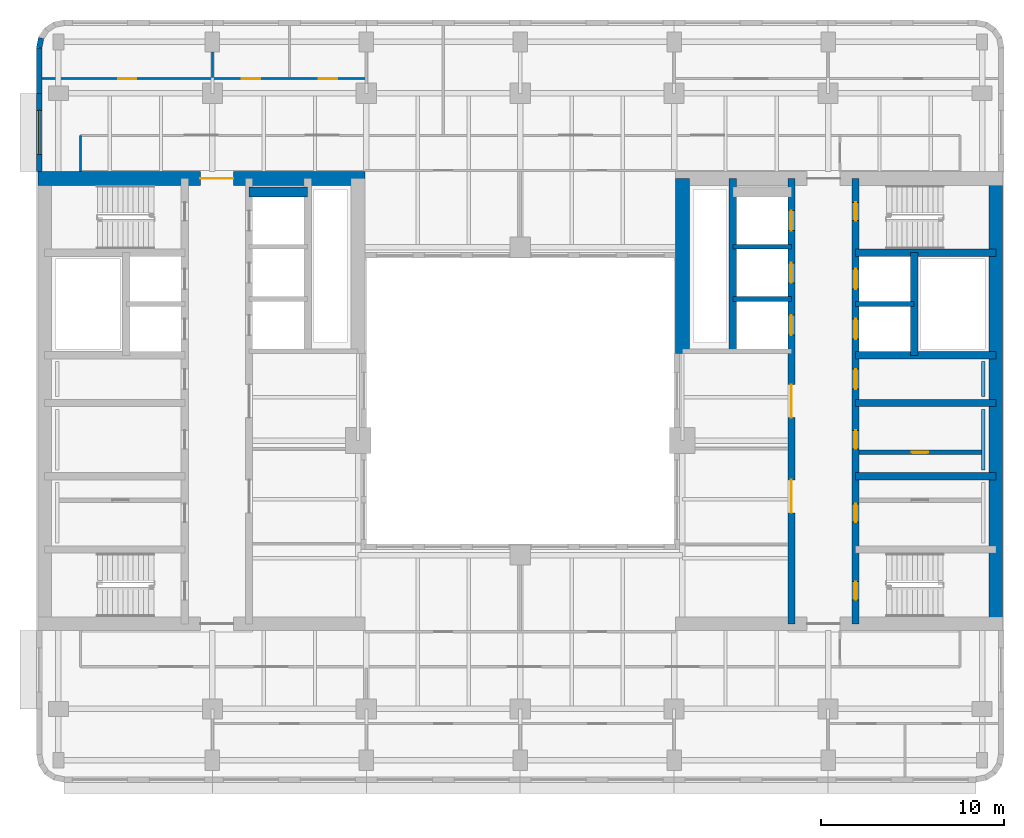
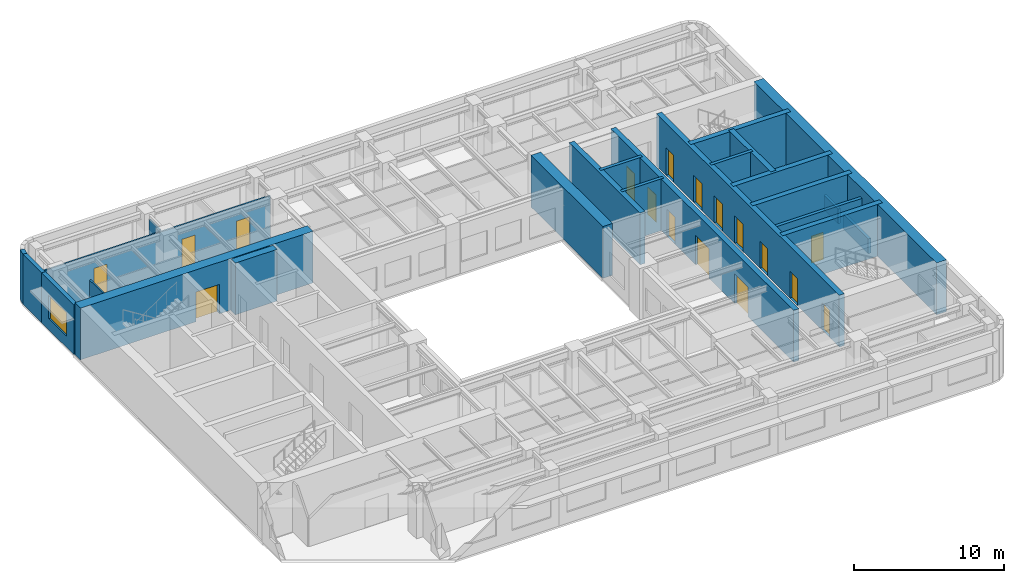
# One storey, part 6 of 11: 24 walls, 17 doors, 1 window, 18 openings.
"""IFC4 building model written with IfcOpenShell, lengths in metres."""

from ifc_helpers import new_model, si_unit, direction, frame, frame_2d, origin, place, context, subcontext, project, spatial, rectangle, extrude, material, layer, layer_set, type_object, element, fill, save


model = new_model("IFC4")

# Units and contexts
model_context = context("Model", 3, precision=1e-05, world=origin(), true_north=direction((0.0, 1.0)))
body_context = subcontext(model_context, "Body", "Model", "MODEL_VIEW")
ifc_project = project(units=[si_unit("LENGTHUNIT", "METRE"), si_unit("AREAUNIT", "SQUARE_METRE"), si_unit("VOLUMEUNIT", "CUBIC_METRE"), si_unit("PLANEANGLEUNIT", "RADIAN"), si_unit("MASSUNIT", "GRAM", prefix="KILO")], contexts=[model_context])

# Site, building, storey
site_placement = place(None, origin())
site = spatial("IfcSite", under=ifc_project, at=site_placement, CompositionType="ELEMENT")
building_placement = place(site_placement, origin())
building = spatial("IfcBuilding", under=site, at=building_placement, Name="Claustro Exchange Tower", CompositionType="ELEMENT")
storey_placement = place(building_placement, frame((0.0, 0.0, 211.199951171875)))
storey = spatial("IfcBuildingStorey", under=building, at=storey_placement, Name="L48", CompositionType="ELEMENT", Elevation=211.199951171875)

# Wall, openings, doors
ifc_material_1 = material(Name="Laminated glass in aluminium frame", Category="aluminium")
ifc_layer_1 = layer(ifc_material_1, 0.1201171875)
ifc_layer_set_1 = layer_set([ifc_layer_1], Name="Laminated glass in aluminium frame")
wall_type_1 = type_object("IfcWallType", Name="P2 120 glazed partition", PredefinedType="PARTITIONING", material=ifc_layer_set_1)
wall_1_placement = place(storey_placement, frame((-0.902099609375, 42.800048828125, 0.0), z_axis=(0.0, 0.0, 1.0), x_axis=(1.0, 0.0, 0.0)))
wall_1 = element("IfcWall", 1, at=wall_1_placement, inside=storey, type_object=wall_type_1, Name="Partition P2 L48", PredefinedType="PARTITIONING", context=body_context, shape_type="SweptSolid", body=[
    extrude(rectangle(XDim=17.7021484375, YDim=0.1201171875, at=frame_2d((8.85107421875, 0.0))), origin(), (0.0, 0.0, 1.0), 3.56005859375),
])
opening_1_placement = place(wall_1_placement, frame((4.152099609375, 0.0, 0.0)))
opening_1 = element("IfcOpeningElement", 2, at=opening_1_placement, cuts=wall_1, Name="Opening D7", PredefinedType="OPENING", context=body_context, shape_type="SweptSolid", body=[
    extrude(rectangle(XDim=1.0, YDim=2.39990234375, at=frame_2d((0.5, 1.199951171875))), frame((0.0, 0.070068359375, 0.0), z_axis=(0.0, -1.0, 0.0), x_axis=(1.0, 0.0, 0.0)), (0.0, 0.0, 1.0), 0.14013671875),
])
opening_2_placement = place(wall_1_placement, frame((10.902099609375, 0.0, 0.0)))
opening_2 = element("IfcOpeningElement", 3, at=opening_2_placement, cuts=wall_1, Name="Opening D7", PredefinedType="OPENING", context=body_context, shape_type="SweptSolid", body=[
    extrude(rectangle(XDim=1.0, YDim=2.39990234375, at=frame_2d((0.5, 1.199951171875))), frame((0.0, 0.070068359375, 0.0), z_axis=(0.0, -1.0, 0.0), x_axis=(1.0, 0.0, 0.0)), (0.0, 0.0, 1.0), 0.14013671875),
])
opening_3_placement = place(wall_1_placement, frame((15.10205078125, 0.0, 0.0)))
opening_3 = element("IfcOpeningElement", 4, at=opening_3_placement, cuts=wall_1, Name="Opening D7", PredefinedType="OPENING", context=body_context, shape_type="SweptSolid", body=[
    extrude(rectangle(XDim=1.0, YDim=2.39990234375, at=frame_2d((0.5, 1.199951171875))), frame((0.0, 0.070068359375, 0.0), z_axis=(0.0, -1.0, 0.0), x_axis=(1.0, 0.0, 0.0)), (0.0, 0.0, 1.0), 0.14013671875),
])
ifc_material_2 = material(Name="Glass door in aluminium frame", Category="aluminium")
door_type_1 = type_object("IfcDoorType", Name="D7 1000 x 2400 glazed door", OperationType="SINGLE_SWING_LEFT", PredefinedType="DOOR", material=ifc_material_2)
door_1_placement = place(opening_1_placement, origin())
door_1 = element("IfcDoor", 5, at=door_1_placement, inside=storey, type_object=door_type_1, Name="Door D7 L48", OperationType="SINGLE_SWING_RIGHT", OverallHeight=2.39990234375, OverallWidth=1.0, PredefinedType="DOOR", context=body_context, shape_type="SweptSolid", body=[
    extrude(rectangle(XDim=1.0, YDim=2.39990234375, at=frame_2d((0.5, 1.199951171875))), frame((0.0, 0.02490234375, 0.0), z_axis=(0.0, -1.0, 0.0), x_axis=(1.0, 0.0, 0.0)), (0.0, 0.0, 1.0), 0.050048828125),
])
fill(opening_1, door_1)
door_2_placement = place(opening_2_placement, origin())
door_2 = element("IfcDoor", 6, at=door_2_placement, inside=storey, type_object=door_type_1, Name="Door D7 L48", OperationType="SINGLE_SWING_LEFT", OverallHeight=2.39990234375, OverallWidth=1.0, PredefinedType="DOOR", context=body_context, shape_type="SweptSolid", body=[
    extrude(rectangle(XDim=1.0, YDim=2.39990234375, at=frame_2d((0.5, 1.199951171875))), frame((0.0, 0.02490234375, 0.0), z_axis=(0.0, -1.0, 0.0), x_axis=(1.0, 0.0, 0.0)), (0.0, 0.0, 1.0), 0.050048828125),
])
fill(opening_2, door_2)
door_3_placement = place(opening_3_placement, origin())
door_3 = element("IfcDoor", 7, at=door_3_placement, inside=storey, type_object=door_type_1, Name="Door D7 L48", OperationType="SINGLE_SWING_LEFT", OverallHeight=2.39990234375, OverallWidth=1.0, PredefinedType="DOOR", context=body_context, shape_type="SweptSolid", body=[
    extrude(rectangle(XDim=1.0, YDim=2.39990234375, at=frame_2d((0.5, 1.199951171875))), frame((0.0, 0.02490234375, 0.0), z_axis=(0.0, -1.0, 0.0), x_axis=(1.0, 0.0, 0.0)), (0.0, 0.0, 1.0), 0.050048828125),
])
fill(opening_3, door_3)

# Walls
wall_2_placement = place(storey_placement, frame((8.39990234375, 42.85791015625, 0.0), z_axis=(0.0, 0.0, 1.0), x_axis=(0.0, 1.0, 0.0)))
element("IfcWall", 8, at=wall_2_placement, inside=storey, type_object=wall_type_1, Name="Partition P2 L48", PredefinedType="PARTITIONING", context=body_context, shape_type="SweptSolid", body=[
    extrude(rectangle(XDim=1.39306640625, YDim=0.1201171875, at=frame_2d((0.696533203125, 0.0))), origin(), (0.0, 0.0, 1.0), 3.68994140625),
])
wall_3_placement = place(storey_placement, frame((1.199951171875, 37.72412109375, 0.0), z_axis=(0.0, 0.0, 1.0), x_axis=(0.0, 1.0, 0.0)))
element("IfcWall", 9, at=wall_3_placement, inside=storey, type_object=wall_type_1, Name="Partition P2 L48", PredefinedType="PARTITIONING", context=body_context, shape_type="SweptSolid", body=[
    extrude(rectangle(XDim=1.975830078125, YDim=0.1201171875, at=frame_2d((0.98779296875, 0.0))), origin(), (0.0, 0.0, 1.0), 4.050048828125),
])

# Wall, opening, door
ifc_material_3 = material(Name="Concrete blockwork, rendered", Category="masonry")
ifc_layer_2 = layer(ifc_material_3, 0.25)
ifc_layer_set_2 = layer_set([ifc_layer_2], Name="Concrete blockwork, rendered")
wall_type_2 = type_object("IfcWallType", Name="P4 250 blockwork wall", PredefinedType="PARTITIONING", material=ifc_layer_set_2)
wall_4_placement = place(storey_placement, frame((43.699951171875, 22.39990234375, 0.0), z_axis=(0.0, 0.0, 1.0), x_axis=(1.0, 0.0, 0.0)))
wall_4 = element("IfcWall", 10, at=wall_4_placement, inside=storey, type_object=wall_type_2, Name="Partition P4 L48", PredefinedType="PARTITIONING", context=body_context, shape_type="SweptSolid", body=[
    extrude(rectangle(XDim=6.675048828125, YDim=0.25, at=frame_2d((3.33740234375, 0.0))), origin(), (0.0, 0.0, 1.0), 4.0),
])
opening_4_placement = place(wall_4_placement, frame((2.862548828125, 0.0, 0.0)))
opening_4 = element("IfcOpeningElement", 11, at=opening_4_placement, cuts=wall_4, Name="Opening D5", PredefinedType="OPENING", context=body_context, shape_type="SweptSolid", body=[
    extrude(rectangle(XDim=0.89990234375, YDim=2.199951171875, at=frame_2d((0.449951171875, 1.10009765625))), frame((0.0, 0.135009765625, 0.0), z_axis=(0.0, -1.0, 0.0), x_axis=(1.0, 0.0, 0.0)), (0.0, 0.0, 1.0), 0.27001953125),
])
ifc_material_4 = material(Name="Steel door, painted", Category="steel")
door_type_2 = type_object("IfcDoorType", Name="D5 900 x 2200 store door", OperationType="SINGLE_SWING_LEFT", PredefinedType="DOOR", material=ifc_material_4)
door_4_placement = place(opening_4_placement, frame((0.89990234375, 0.0, 0.0), z_axis=(0.0, 0.0, 1.0), x_axis=(-1.0, 0.0, 0.0)))
door_4 = element("IfcDoor", 12, at=door_4_placement, inside=storey, type_object=door_type_2, Name="Store door D5 L48", OperationType="SINGLE_SWING_RIGHT", OverallHeight=2.199951171875, OverallWidth=0.89990234375, PredefinedType="DOOR", context=body_context, shape_type="SweptSolid", body=[
    extrude(rectangle(XDim=0.89990234375, YDim=2.199951171875, at=frame_2d((0.449951171875, 1.10009765625))), frame((0.0, 0.02490234375, 0.0), z_axis=(0.0, -1.0, 0.0), x_axis=(1.0, 0.0, 0.0)), (0.0, 0.0, 1.0), 0.050048828125),
])
fill(opening_4, door_4)

# Wall, opening, window
ifc_material_5 = material(Name="Concrete HA-40 (C40/50), precast, white cement, acid-etched", Category="concrete")
ifc_layer_3 = layer(ifc_material_5, 0.300048828125)
ifc_layer_set_3 = layer_set([ifc_layer_3], Name="Concrete HA-40 (C40/50), precast, white cement, acid-etched")
wall_type_3 = type_object("IfcWallType", Name="PC1 300 precast concrete pier panel", PredefinedType="SOLIDWALL", material=ifc_layer_set_3)
wall_5_placement = place(storey_placement, frame((-1.050048828125, 37.72509765625, 0.0), z_axis=(0.0, 0.0, 1.0), x_axis=(0.0, 1.0, 0.0)))
wall_5 = element("IfcWall", 13, at=wall_5_placement, inside=storey, type_object=wall_type_3, Name="Precast pier panel PC1 L48", PredefinedType="SOLIDWALL", context=body_context, shape_type="SweptSolid", body=[
    extrude(rectangle(XDim=4.27490234375, YDim=0.300048828125, at=frame_2d((2.137451171875, 0.0))), origin(), (0.0, 0.0, 1.0), 4.050048828125),
])
opening_5_placement = place(wall_5_placement, frame((0.9375, 0.0, 0.89990234375)))
opening_5 = element("IfcOpeningElement", 14, at=opening_5_placement, cuts=wall_5, Name="Opening W2", PredefinedType="OPENING", context=body_context, shape_type="SweptSolid", body=[
    extrude(rectangle(XDim=2.39990234375, YDim=1.89990234375, at=frame_2d((1.199951171875, 0.949951171875))), frame((0.0, 0.159912109375, 0.0), z_axis=(0.0, -1.0, 0.0), x_axis=(1.0, 0.0, 0.0)), (0.0, 0.0, 1.0), 0.320068359375),
])
ifc_material_6 = material(Name="Aluminium frame, clear double glazing", Category="aluminium")
window_type = type_object("IfcWindowType", Name="W2 2400 x 1900 window", PartitioningType="SINGLE_PANEL", PredefinedType="WINDOW", material=ifc_material_6)
window_placement = place(opening_5_placement, origin())
window = element("IfcWindow", 15, at=window_placement, inside=storey, type_object=window_type, Name="Window W2 L48", OverallHeight=1.89990234375, OverallWidth=2.39990234375, PartitioningType="SINGLE_PANEL", PredefinedType="WINDOW", context=body_context, shape_type="SweptSolid", body=[
    extrude(rectangle(XDim=2.39990234375, YDim=1.89990234375, at=frame_2d((1.199951171875, 0.949951171875))), frame((0.0, 0.030029296875, 0.0), z_axis=(0.0, -1.0, 0.0), x_axis=(1.0, 0.0, 0.0)), (0.0, 0.0, 1.0), 0.06005859375),
])
fill(opening_5, window)

# Walls
wall_6_placement = place(storey_placement, frame((-1.050048828125, 42.0, 0.0), z_axis=(0.0, 0.0, 1.0), x_axis=(0.0, 1.0, 0.0)))
element("IfcWall", 16, at=wall_6_placement, inside=storey, type_object=wall_type_3, Name="Precast pier panel PC1 L48", PredefinedType="SOLIDWALL", context=body_context, shape_type="SweptSolid", body=[
    extrude(rectangle(XDim=2.485107421875, YDim=0.300048828125, at=frame_2d((1.24267578125, 0.0))), origin(), (0.0, 0.0, 1.0), 4.050048828125),
])
wall_7_placement = place(storey_placement, frame((-1.050048828125, 44.485107421875, 0.0), z_axis=(0.0, 0.0, 1.0), x_axis=(0.195073962632, 0.980788534345, 0.0)))
element("IfcWall", 17, at=wall_7_placement, inside=storey, type_object=wall_type_3, Name="Precast pier panel PC1 L48", PredefinedType="SOLIDWALL", context=body_context, shape_type="SweptSolid", body=[
    extrude(rectangle(XDim=0.540771484375, YDim=0.300048828125, at=frame_2d((0.2705078125, 0.0))), origin(), (0.0, 0.0, 1.0), 4.050048828125),
])
ifc_material_7 = material(Name="Gypsum board on steel studs, tiled", Category="steel")
ifc_layer_4 = layer(ifc_material_7, 0.199951171875)
ifc_layer_set_4 = layer_set([ifc_layer_4], Name="Gypsum board on steel studs, tiled")
wall_type_4 = type_object("IfcWallType", Name="PW1 200 WC duct wall", PredefinedType="PLUMBINGWALL", material=ifc_layer_set_4)
wall_8_placement = place(storey_placement, frame((50.47509765625, 21.449951171875, 0.0), z_axis=(0.0, 0.0, 1.0), x_axis=(0.0, 1.0, 0.0)))
element("IfcWall", 18, at=wall_8_placement, inside=storey, type_object=wall_type_4, Name="WC duct wall PW1 L48", PredefinedType="PLUMBINGWALL", context=body_context, shape_type="SweptSolid", body=[
    extrude(rectangle(XDim=3.300048828125, YDim=0.199951171875, at=frame_2d((1.64990234375, 0.0))), origin(), (0.0, 0.0, 1.0), 1.199951171875),
])
wall_9_placement = place(storey_placement, frame((50.47509765625, 25.449951171875, 0.0), z_axis=(0.0, 0.0, 1.0), x_axis=(0.0, 1.0, 0.0)))
element("IfcWall", 19, at=wall_9_placement, inside=storey, type_object=wall_type_4, Name="WC duct wall PW1 L48", PredefinedType="PLUMBINGWALL", context=body_context, shape_type="SweptSolid", body=[
    extrude(rectangle(XDim=1.900146484375, YDim=0.199951171875, at=frame_2d((0.9501953125, 0.0))), origin(), (0.0, 0.0, 1.0), 1.199951171875),
])

# Wall, opening, door
ifc_material_8 = material(Name="Concrete HA-70 (C70/85)", Category="concrete")
ifc_layer_5 = layer(ifc_material_8, 0.75)
ifc_layer_set_5 = layer_set([ifc_layer_5], Name="Concrete HA-70 (C70/85)")
wall_type_5 = type_object("IfcWallType", Name="SW2 750 core shear wall", PredefinedType="SHEAR", material=ifc_layer_set_5)
wall_10_placement = place(storey_placement, frame((-1.125, 37.35009765625, 0.0), z_axis=(0.0, 0.0, 1.0), x_axis=(1.0, 0.0, 0.0)))
wall_10 = element("IfcWall", 20, at=wall_10_placement, inside=storey, type_object=wall_type_5, Name="Core wall SW2 W core N face L48", PredefinedType="SHEAR", context=body_context, shape_type="SweptSolid", body=[
    extrude(rectangle(XDim=17.85009765625, YDim=0.75, at=frame_2d((8.925048828125, 0.0))), origin(), (0.0, 0.0, 1.0), 4.199951171875),
])
opening_6_placement = place(wall_10_placement, frame((8.875, 0.0, 0.0)))
opening_6 = element("IfcOpeningElement", 21, at=opening_6_placement, cuts=wall_10, Name="Opening D3", PredefinedType="OPENING", context=body_context, shape_type="SweptSolid", body=[
    extrude(rectangle(XDim=1.800048828125, YDim=2.39990234375, at=frame_2d((0.89990234375, 1.199951171875))), frame((0.0, 0.385009765625, 0.0), z_axis=(0.0, -1.0, 0.0), x_axis=(1.0, 0.0, 0.0)), (0.0, 0.0, 1.0), 0.77001953125),
])
ifc_material_9 = material(Name="Steel fire door, painted", Category="steel")
door_type_3 = type_object("IfcDoorType", Name="D3 1800 x 2400 fire-rated lobby double door", OperationType="DOUBLE_DOOR_SINGLE_SWING", PredefinedType="DOOR", material=ifc_material_9)
door_5_placement = place(opening_6_placement, frame((1.800048828125, 0.0, 0.0), z_axis=(0.0, 0.0, 1.0), x_axis=(-1.0, 0.0, 0.0)))
door_5 = element("IfcDoor", 22, at=door_5_placement, inside=storey, type_object=door_type_3, Name="Lift lobby door D3 L48", OperationType="DOUBLE_DOOR_SINGLE_SWING", OverallHeight=2.39990234375, OverallWidth=1.800048828125, PredefinedType="DOOR", context=body_context, shape_type="SweptSolid", body=[
    extrude(rectangle(XDim=1.800048828125, YDim=2.39990234375, at=frame_2d((0.89990234375, 1.199951171875))), frame((0.0, 0.02490234375, 0.0), z_axis=(0.0, -1.0, 0.0), x_axis=(1.0, 0.0, 0.0)), (0.0, 0.0, 1.0), 0.050048828125),
])
fill(opening_6, door_5)

# Walls
ifc_material_10 = material(Name="Concrete HA-70 (C70/85)", Category="concrete")
ifc_layer_6 = layer(ifc_material_10, 0.75)
ifc_layer_set_6 = layer_set([ifc_layer_6], Name="Concrete HA-70 (C70/85)")
wall_type_6 = type_object("IfcWallType", Name="SW2X 750 exposed core shear wall, board-marked face", PredefinedType="SHEAR", material=ifc_layer_set_6)
wall_11_placement = place(storey_placement, frame((34.050048828125, 27.800048828125, 0.0), z_axis=(0.0, 0.0, 1.0), x_axis=(0.0, 1.0, 0.0)))
element("IfcWall", 23, at=wall_11_placement, inside=storey, type_object=wall_type_6, Name="Core wall SW2X E core W face L48", PredefinedType="SHEAR", context=body_context, shape_type="SweptSolid", body=[
    extrude(rectangle(XDim=9.550048828125, YDim=0.75, at=frame_2d((4.77490234375, 0.0))), origin(), (0.0, 0.0, 1.0), 4.199951171875),
])
wall_12_placement = place(storey_placement, frame((51.14990234375, 13.050048828125, 0.0), z_axis=(0.0, 0.0, 1.0), x_axis=(0.0, 1.0, 0.0)))
element("IfcWall", 24, at=wall_12_placement, inside=storey, type_object=wall_type_6, Name="Core wall SW2X E core E face L48", PredefinedType="SHEAR", context=body_context, shape_type="SweptSolid", body=[
    extrude(rectangle(XDim=24.300048828125, YDim=0.75, at=frame_2d((12.14990234375, 0.0))), origin(), (0.0, 0.0, 1.0), 4.199951171875),
])

# Wall, openings, doors
ifc_material_11 = material(Name="Concrete HA-50 (C50/60)", Category="concrete")
ifc_layer_7 = layer(ifc_material_11, 0.39990234375)
ifc_layer_set_7 = layer_set([ifc_layer_7], Name="Concrete HA-50 (C50/60)")
wall_type_7 = type_object("IfcWallType", Name="SW4 400 internal core wall", PredefinedType="SHEAR", material=ifc_layer_set_7)
wall_13_placement = place(storey_placement, frame((43.5, 13.050048828125, 0.0), z_axis=(0.0, 0.0, 1.0), x_axis=(0.0, 1.0, 0.0)))
wall_13 = element("IfcWall", 25, at=wall_13_placement, inside=storey, type_object=wall_type_7, Name="Internal core wall SW4 E core L48", PredefinedType="SHEAR", context=body_context, shape_type="SweptSolid", body=[
    extrude(rectangle(XDim=24.300048828125, YDim=0.39990234375, at=frame_2d((12.14990234375, 0.0))), origin(), (0.0, 0.0, 1.0), 4.199951171875),
])
opening_7_placement = place(wall_13_placement, frame((1.300048828125, 0.0, 0.0)))
opening_7 = element("IfcOpeningElement", 26, at=opening_7_placement, cuts=wall_13, Name="Opening D4", PredefinedType="OPENING", context=body_context, shape_type="SweptSolid", body=[
    extrude(rectangle(XDim=1.0, YDim=2.199951171875, at=frame_2d((0.5, 1.10009765625))), frame((0.0, 0.2099609375, 0.0), z_axis=(0.0, -1.0, 0.0), x_axis=(1.0, 0.0, 0.0)), (0.0, 0.0, 1.0), 0.419921875),
])
opening_8_placement = place(wall_13_placement, frame((22.0, 0.0, 0.0)))
opening_8 = element("IfcOpeningElement", 27, at=opening_8_placement, cuts=wall_13, Name="Opening D4", PredefinedType="OPENING", context=body_context, shape_type="SweptSolid", body=[
    extrude(rectangle(XDim=1.0, YDim=2.199951171875, at=frame_2d((0.5, 1.10009765625))), frame((0.0, 0.2099609375, 0.0), z_axis=(0.0, -1.0, 0.0), x_axis=(1.0, 0.0, 0.0)), (0.0, 0.0, 1.0), 0.419921875),
])
opening_9_placement = place(wall_13_placement, frame((5.550048828125, 0.0, 0.0)))
opening_9 = element("IfcOpeningElement", 28, at=opening_9_placement, cuts=wall_13, Name="Opening D1", PredefinedType="OPENING", context=body_context, shape_type="SweptSolid", body=[
    extrude(rectangle(XDim=1.0, YDim=2.199951171875, at=frame_2d((0.5, 1.10009765625))), frame((0.0, 0.2099609375, 0.0), z_axis=(0.0, -1.0, 0.0), x_axis=(1.0, 0.0, 0.0)), (0.0, 0.0, 1.0), 0.419921875),
])
opening_10_placement = place(wall_13_placement, frame((9.550048828125, 0.0, 0.0)))
opening_10 = element("IfcOpeningElement", 29, at=opening_10_placement, cuts=wall_13, Name="Opening D1", PredefinedType="OPENING", context=body_context, shape_type="SweptSolid", body=[
    extrude(rectangle(XDim=1.0, YDim=2.199951171875, at=frame_2d((0.5, 1.10009765625))), frame((0.0, 0.2099609375, 0.0), z_axis=(0.0, -1.0, 0.0), x_axis=(1.0, 0.0, 0.0)), (0.0, 0.0, 1.0), 0.419921875),
])
opening_11_placement = place(wall_13_placement, frame((12.800048828125, 0.0, 0.0)))
opening_11 = element("IfcOpeningElement", 30, at=opening_11_placement, cuts=wall_13, Name="Opening D10", PredefinedType="OPENING", context=body_context, shape_type="SweptSolid", body=[
    extrude(rectangle(XDim=1.10009765625, YDim=2.199951171875, at=frame_2d((0.550048828125, 1.10009765625))), frame((0.0, 0.2099609375, 0.0), z_axis=(0.0, -1.0, 0.0), x_axis=(1.0, 0.0, 0.0)), (0.0, 0.0, 1.0), 0.419921875),
])
opening_12_placement = place(wall_13_placement, frame((15.53759765625, 0.0, 0.0)))
opening_12 = element("IfcOpeningElement", 31, at=opening_12_placement, cuts=wall_13, Name="Opening LD", PredefinedType="OPENING", context=body_context, shape_type="SweptSolid", body=[
    extrude(rectangle(XDim=1.10009765625, YDim=2.199951171875, at=frame_2d((0.550048828125, 1.10009765625))), frame((0.0, 0.2099609375, 0.0), z_axis=(0.0, -1.0, 0.0), x_axis=(1.0, 0.0, 0.0)), (0.0, 0.0, 1.0), 0.419921875),
])
opening_13_placement = place(wall_13_placement, frame((18.262451171875, 0.0, 0.0)))
opening_13 = element("IfcOpeningElement", 32, at=opening_13_placement, cuts=wall_13, Name="Opening LD", PredefinedType="OPENING", context=body_context, shape_type="SweptSolid", body=[
    extrude(rectangle(XDim=1.10009765625, YDim=2.199951171875, at=frame_2d((0.550048828125, 1.10009765625))), frame((0.0, 0.2099609375, 0.0), z_axis=(0.0, -1.0, 0.0), x_axis=(1.0, 0.0, 0.0)), (0.0, 0.0, 1.0), 0.419921875),
])
ifc_material_12 = material(Name="Timber door, oak veneer", Category="wood")
door_type_4 = type_object("IfcDoorType", Name="D1 1000 x 2200 single door", OperationType="SINGLE_SWING_LEFT", PredefinedType="DOOR", material=ifc_material_12)
door_6_placement = place(opening_9_placement, frame((1.0, 0.0, 0.0), z_axis=(0.0, 0.0, 1.0), x_axis=(-1.0, 0.0, 0.0)))
door_6 = element("IfcDoor", 33, at=door_6_placement, inside=storey, type_object=door_type_4, Name="Door D1 L48", OperationType="SINGLE_SWING_LEFT", OverallHeight=2.199951171875, OverallWidth=1.0, PredefinedType="DOOR", context=body_context, shape_type="SweptSolid", body=[
    extrude(rectangle(XDim=1.0, YDim=2.199951171875, at=frame_2d((0.5, 1.10009765625))), frame((0.0, 0.02490234375, 0.0), z_axis=(0.0, -1.0, 0.0), x_axis=(1.0, 0.0, 0.0)), (0.0, 0.0, 1.0), 0.050048828125),
])
fill(opening_9, door_6)
door_7_placement = place(opening_10_placement, frame((1.0, 0.0, 0.0), z_axis=(0.0, 0.0, 1.0), x_axis=(-1.0, 0.0, 0.0)))
door_7 = element("IfcDoor", 34, at=door_7_placement, inside=storey, type_object=door_type_4, Name="Door D1 L48", OperationType="SINGLE_SWING_RIGHT", OverallHeight=2.199951171875, OverallWidth=1.0, PredefinedType="DOOR", context=body_context, shape_type="SweptSolid", body=[
    extrude(rectangle(XDim=1.0, YDim=2.199951171875, at=frame_2d((0.5, 1.10009765625))), frame((0.0, 0.02490234375, 0.0), z_axis=(0.0, -1.0, 0.0), x_axis=(1.0, 0.0, 0.0)), (0.0, 0.0, 1.0), 0.050048828125),
])
fill(opening_10, door_7)
ifc_material_13 = material(Name="Timber door, oak veneer", Category="wood")
door_type_5 = type_object("IfcDoorType", Name="D10 1100 x 2200 accessible WC door", OperationType="SINGLE_SWING_LEFT", PredefinedType="DOOR", material=ifc_material_13)
door_8_placement = place(opening_11_placement, origin())
door_8 = element("IfcDoor", 35, at=door_8_placement, inside=storey, type_object=door_type_5, Name="Accessible WC door D10 L48", OperationType="SINGLE_SWING_RIGHT", OverallHeight=2.199951171875, OverallWidth=1.10009765625, PredefinedType="DOOR", context=body_context, shape_type="SweptSolid", body=[
    extrude(rectangle(XDim=1.10009765625, YDim=2.199951171875, at=frame_2d((0.550048828125, 1.10009765625))), frame((0.0, 0.02490234375, 0.0), z_axis=(0.0, -1.0, 0.0), x_axis=(1.0, 0.0, 0.0)), (0.0, 0.0, 1.0), 0.050048828125),
])
fill(opening_11, door_8)
ifc_material_14 = material(Name="Steel fire door, painted", Category="steel")
door_type_6 = type_object("IfcDoorType", Name="D4 1000 x 2200 fire-rated stair door", OperationType="SINGLE_SWING_LEFT", PredefinedType="DOOR", material=ifc_material_14)
door_9_placement = place(opening_7_placement, frame((1.0, 0.0, 0.0), z_axis=(0.0, 0.0, 1.0), x_axis=(-1.0, 0.0, 0.0)))
door_9 = element("IfcDoor", 36, at=door_9_placement, inside=storey, type_object=door_type_6, Name="Stair door D4 L48", OperationType="SINGLE_SWING_RIGHT", OverallHeight=2.199951171875, OverallWidth=1.0, PredefinedType="DOOR", context=body_context, shape_type="SweptSolid", body=[
    extrude(rectangle(XDim=1.0, YDim=2.199951171875, at=frame_2d((0.5, 1.10009765625))), frame((0.0, 0.02490234375, 0.0), z_axis=(0.0, -1.0, 0.0), x_axis=(1.0, 0.0, 0.0)), (0.0, 0.0, 1.0), 0.050048828125),
])
fill(opening_7, door_9)
door_10_placement = place(opening_8_placement, frame((1.0, 0.0, 0.0), z_axis=(0.0, 0.0, 1.0), x_axis=(-1.0, 0.0, 0.0)))
door_10 = element("IfcDoor", 37, at=door_10_placement, inside=storey, type_object=door_type_6, Name="Stair door D4 L48", OperationType="SINGLE_SWING_LEFT", OverallHeight=2.199951171875, OverallWidth=1.0, PredefinedType="DOOR", context=body_context, shape_type="SweptSolid", body=[
    extrude(rectangle(XDim=1.0, YDim=2.199951171875, at=frame_2d((0.5, 1.10009765625))), frame((0.0, 0.02490234375, 0.0), z_axis=(0.0, -1.0, 0.0), x_axis=(1.0, 0.0, 0.0)), (0.0, 0.0, 1.0), 0.050048828125),
])
fill(opening_8, door_10)
ifc_material_15 = material(Name="Stainless steel sliding door", Category="steel")
door_type_7 = type_object("IfcDoorType", Name="LD 1100 x 2200 lift landing door", OperationType="DOUBLE_DOOR_SLIDING", PredefinedType="DOOR", material=ifc_material_15)
door_11_placement = place(opening_12_placement, origin())
door_11 = element("IfcDoor", 38, at=door_11_placement, inside=storey, type_object=door_type_7, Name="Lift landing door LEE1 LD L48", OperationType="DOUBLE_DOOR_SLIDING", OverallHeight=2.199951171875, OverallWidth=1.10009765625, PredefinedType="DOOR", context=body_context, shape_type="SweptSolid", body=[
    extrude(rectangle(XDim=1.10009765625, YDim=2.199951171875, at=frame_2d((0.550048828125, 1.10009765625))), frame((0.0, 0.02490234375, 0.0), z_axis=(0.0, -1.0, 0.0), x_axis=(1.0, 0.0, 0.0)), (0.0, 0.0, 1.0), 0.050048828125),
])
fill(opening_12, door_11)
door_12_placement = place(opening_13_placement, origin())
door_12 = element("IfcDoor", 39, at=door_12_placement, inside=storey, type_object=door_type_7, Name="Lift landing door LEE2 LD L48", OperationType="DOUBLE_DOOR_SLIDING", OverallHeight=2.199951171875, OverallWidth=1.10009765625, PredefinedType="DOOR", context=body_context, shape_type="SweptSolid", body=[
    extrude(rectangle(XDim=1.10009765625, YDim=2.199951171875, at=frame_2d((0.550048828125, 1.10009765625))), frame((0.0, 0.02490234375, 0.0), z_axis=(0.0, -1.0, 0.0), x_axis=(1.0, 0.0, 0.0)), (0.0, 0.0, 1.0), 0.050048828125),
])
fill(opening_13, door_12)

wall_14_placement = place(storey_placement, frame((40.0, 13.050048828125, 0.0), z_axis=(0.0, 0.0, 1.0), x_axis=(0.0, 1.0, 0.0)))
wall_14 = element("IfcWall", 40, at=wall_14_placement, inside=storey, type_object=wall_type_7, Name="Internal core wall SW4 E core L48", PredefinedType="SHEAR", context=body_context, shape_type="SweptSolid", body=[
    extrude(rectangle(XDim=24.300048828125, YDim=0.39990234375, at=frame_2d((12.14990234375, 0.0))), origin(), (0.0, 0.0, 1.0), 4.199951171875),
])
opening_14_placement = place(wall_14_placement, frame((15.75, 0.0, 0.0)))
opening_14 = element("IfcOpeningElement", 41, at=opening_14_placement, cuts=wall_14, Name="Opening LD", PredefinedType="OPENING", context=body_context, shape_type="SweptSolid", body=[
    extrude(rectangle(XDim=1.10009765625, YDim=2.199951171875, at=frame_2d((0.550048828125, 1.10009765625))), frame((0.0, 0.2099609375, 0.0), z_axis=(0.0, -1.0, 0.0), x_axis=(1.0, 0.0, 0.0)), (0.0, 0.0, 1.0), 0.419921875),
])
opening_15_placement = place(wall_14_placement, frame((18.60009765625, 0.0, 0.0)))
opening_15 = element("IfcOpeningElement", 42, at=opening_15_placement, cuts=wall_14, Name="Opening LD", PredefinedType="OPENING", context=body_context, shape_type="SweptSolid", body=[
    extrude(rectangle(XDim=1.10009765625, YDim=2.199951171875, at=frame_2d((0.550048828125, 1.10009765625))), frame((0.0, 0.2099609375, 0.0), z_axis=(0.0, -1.0, 0.0), x_axis=(1.0, 0.0, 0.0)), (0.0, 0.0, 1.0), 0.419921875),
])
opening_16_placement = place(wall_14_placement, frame((21.449951171875, 0.0, 0.0)))
opening_16 = element("IfcOpeningElement", 43, at=opening_16_placement, cuts=wall_14, Name="Opening LD", PredefinedType="OPENING", context=body_context, shape_type="SweptSolid", body=[
    extrude(rectangle(XDim=1.10009765625, YDim=2.199951171875, at=frame_2d((0.550048828125, 1.10009765625))), frame((0.0, 0.2099609375, 0.0), z_axis=(0.0, -1.0, 0.0), x_axis=(1.0, 0.0, 0.0)), (0.0, 0.0, 1.0), 0.419921875),
])
opening_17_placement = place(wall_14_placement, frame((6.050048828125, 0.0, 0.0)))
opening_17 = element("IfcOpeningElement", 44, at=opening_17_placement, cuts=wall_14, Name="Opening D3", PredefinedType="OPENING", context=body_context, shape_type="SweptSolid", body=[
    extrude(rectangle(XDim=1.800048828125, YDim=2.39990234375, at=frame_2d((0.89990234375, 1.199951171875))), frame((0.0, 0.2099609375, 0.0), z_axis=(0.0, -1.0, 0.0), x_axis=(1.0, 0.0, 0.0)), (0.0, 0.0, 1.0), 0.419921875),
])
opening_18_placement = place(wall_14_placement, frame((11.25, 0.0, 0.0)))
opening_18 = element("IfcOpeningElement", 45, at=opening_18_placement, cuts=wall_14, Name="Opening D3", PredefinedType="OPENING", context=body_context, shape_type="SweptSolid", body=[
    extrude(rectangle(XDim=1.800048828125, YDim=2.39990234375, at=frame_2d((0.89990234375, 1.199951171875))), frame((0.0, 0.2099609375, 0.0), z_axis=(0.0, -1.0, 0.0), x_axis=(1.0, 0.0, 0.0)), (0.0, 0.0, 1.0), 0.419921875),
])
door_13_placement = place(opening_17_placement, origin())
door_13 = element("IfcDoor", 46, at=door_13_placement, inside=storey, type_object=door_type_3, Name="Core zone door D3 L48", OperationType="DOUBLE_DOOR_SINGLE_SWING", OverallHeight=2.39990234375, OverallWidth=1.800048828125, PredefinedType="DOOR", context=body_context, shape_type="SweptSolid", body=[
    extrude(rectangle(XDim=1.800048828125, YDim=2.39990234375, at=frame_2d((0.89990234375, 1.199951171875))), frame((0.0, 0.02490234375, 0.0), z_axis=(0.0, -1.0, 0.0), x_axis=(1.0, 0.0, 0.0)), (0.0, 0.0, 1.0), 0.050048828125),
])
fill(opening_17, door_13)
door_14_placement = place(opening_18_placement, origin())
door_14 = element("IfcDoor", 47, at=door_14_placement, inside=storey, type_object=door_type_3, Name="Core zone door D3 L48", OperationType="DOUBLE_DOOR_SINGLE_SWING", OverallHeight=2.39990234375, OverallWidth=1.800048828125, PredefinedType="DOOR", context=body_context, shape_type="SweptSolid", body=[
    extrude(rectangle(XDim=1.800048828125, YDim=2.39990234375, at=frame_2d((0.89990234375, 1.199951171875))), frame((0.0, 0.02490234375, 0.0), z_axis=(0.0, -1.0, 0.0), x_axis=(1.0, 0.0, 0.0)), (0.0, 0.0, 1.0), 0.050048828125),
])
fill(opening_18, door_14)
door_15_placement = place(opening_14_placement, origin())
door_15 = element("IfcDoor", 48, at=door_15_placement, inside=storey, type_object=door_type_7, Name="Lift landing door LHE1 LD L48", OperationType="DOUBLE_DOOR_SLIDING", OverallHeight=2.199951171875, OverallWidth=1.10009765625, PredefinedType="DOOR", context=body_context, shape_type="SweptSolid", body=[
    extrude(rectangle(XDim=1.10009765625, YDim=2.199951171875, at=frame_2d((0.550048828125, 1.10009765625))), frame((0.0, 0.02490234375, 0.0), z_axis=(0.0, -1.0, 0.0), x_axis=(1.0, 0.0, 0.0)), (0.0, 0.0, 1.0), 0.050048828125),
])
fill(opening_14, door_15)
door_16_placement = place(opening_15_placement, origin())
door_16 = element("IfcDoor", 49, at=door_16_placement, inside=storey, type_object=door_type_7, Name="Lift landing door LHE2 LD L48", OperationType="DOUBLE_DOOR_SLIDING", OverallHeight=2.199951171875, OverallWidth=1.10009765625, PredefinedType="DOOR", context=body_context, shape_type="SweptSolid", body=[
    extrude(rectangle(XDim=1.10009765625, YDim=2.199951171875, at=frame_2d((0.550048828125, 1.10009765625))), frame((0.0, 0.02490234375, 0.0), z_axis=(0.0, -1.0, 0.0), x_axis=(1.0, 0.0, 0.0)), (0.0, 0.0, 1.0), 0.050048828125),
])
fill(opening_15, door_16)
door_17_placement = place(opening_16_placement, origin())
door_17 = element("IfcDoor", 50, at=door_17_placement, inside=storey, type_object=door_type_7, Name="Lift landing door LSE1 LD L48", OperationType="DOUBLE_DOOR_SLIDING", OverallHeight=2.199951171875, OverallWidth=1.10009765625, PredefinedType="DOOR", context=body_context, shape_type="SweptSolid", body=[
    extrude(rectangle(XDim=1.10009765625, YDim=2.199951171875, at=frame_2d((0.550048828125, 1.10009765625))), frame((0.0, 0.02490234375, 0.0), z_axis=(0.0, -1.0, 0.0), x_axis=(1.0, 0.0, 0.0)), (0.0, 0.0, 1.0), 0.050048828125),
])
fill(opening_16, door_17)

# Walls
wall_15_placement = place(storey_placement, frame((36.800048828125, 27.925048828125, 0.0), z_axis=(0.0, 0.0, 1.0), x_axis=(0.0, 1.0, 0.0)))
element("IfcWall", 51, at=wall_15_placement, inside=storey, type_object=wall_type_7, Name="Internal core wall SW4 E core L48", PredefinedType="SHEAR", context=body_context, shape_type="SweptSolid", body=[
    extrude(rectangle(XDim=9.425048828125, YDim=0.39990234375, at=frame_2d((4.71240234375, 0.0))), origin(), (0.0, 0.0, 1.0), 4.199951171875),
])
for number, where, z_axis, x_axis, name in (
    (52, (51.14990234375, 21.10009765625, 0.0), (0.0, 0.0, 1.0), (-1.0, 0.0, 0.0), "Internal core wall SW4 E core L48"),
    (53, (51.14990234375, 25.10009765625, 0.0), (0.0, 0.0, 1.0), (-1.0, 0.0, 0.0), "Internal core wall SW4 E core L48"),
    (54, (51.14990234375, 27.699951171875, 0.0), (0.0, 0.0, 1.0), (-1.0, 0.0, 0.0), "Internal core wall SW4 E core L48"),
    (55, (51.14990234375, 33.300048828125, 0.0), (0.0, 0.0, 1.0), (-1.0, 0.0, 0.0), "Internal core wall SW4 E core L48"),
):
    element("IfcWall", number, at=place(storey_placement, frame(where, z_axis=z_axis, x_axis=x_axis)), inside=storey, type_object=wall_type_7, Name=name, PredefinedType="SHEAR", context=body_context, shape_type="SweptSolid", body=[
        extrude(rectangle(XDim=7.64990234375, YDim=0.39990234375, at=frame_2d((3.824951171875, 0.0))), origin(), (0.0, 0.0, 1.0), 4.199951171875),
    ])
wall_16_placement = place(storey_placement, frame((46.699951171875, 27.699951171875, 0.0), z_axis=(0.0, 0.0, 1.0), x_axis=(0.0, 1.0, 0.0)))
element("IfcWall", 56, at=wall_16_placement, inside=storey, type_object=wall_type_7, Name="Internal core wall SW4 E core L48", PredefinedType="SHEAR", context=body_context, shape_type="SweptSolid", body=[
    extrude(rectangle(XDim=5.60009765625, YDim=0.39990234375, at=frame_2d((2.800048828125, 0.0))), origin(), (0.0, 0.0, 1.0), 4.199951171875),
])
ifc_material_16 = material(Name="Concrete HA-50 (C50/60)", Category="concrete")
ifc_layer_8 = layer(ifc_material_16, 0.25)
ifc_layer_set_8 = layer_set([ifc_layer_8], Name="Concrete HA-50 (C50/60)")
wall_type_8 = type_object("IfcWallType", Name="SW5 250 lift shaft divider wall", PredefinedType="SHEAR", material=ifc_layer_set_8)
for number, where, z_axis, x_axis, name in (
    (57, (46.699951171875, 30.5, 0.0), (0.0, 0.0, 1.0), (-1.0, 0.0, 0.0), "Lift shaft wall E core L48"),
    (58, (40.0, 30.77490234375, 0.0), (0.0, 0.0, 1.0), (-1.0, 0.0, 0.0), "Lift shaft wall E core L48"),
    (59, (40.0, 33.625, 0.0), (0.0, 0.0, 1.0), (-1.0, 0.0, 0.0), "Lift shaft wall E core L48"),
):
    element("IfcWall", number, at=place(storey_placement, frame(where, z_axis=z_axis, x_axis=x_axis)), inside=storey, type_object=wall_type_8, Name=name, PredefinedType="SHEAR", context=body_context, shape_type="SweptSolid", body=[
        extrude(rectangle(XDim=3.199951171875, YDim=0.25, at=frame_2d((1.60009765625, 0.0))), origin(), (0.0, 0.0, 1.0), 4.199951171875),
    ])
ifc_material_17 = material(Name="Concrete HA-50 (C50/60)", Category="concrete")
ifc_layer_9 = layer(ifc_material_17, 0.550048828125)
ifc_layer_set_9 = layer_set([ifc_layer_9], Name="Concrete HA-50 (C50/60)")
wall_type_9 = type_object("IfcWallType", Name="SW6 550 lift shaft end wall", PredefinedType="SHEAR", material=ifc_layer_set_9)
wall_17_placement = place(storey_placement, frame((10.39990234375, 36.625, 0.0), z_axis=(0.0, 0.0, 1.0), x_axis=(1.0, 0.0, 0.0)))
element("IfcWall", 60, at=wall_17_placement, inside=storey, type_object=wall_type_9, Name="Lift shaft wall W core L48", PredefinedType="SHEAR", context=body_context, shape_type="SweptSolid", body=[
    extrude(rectangle(XDim=3.2001953125, YDim=0.550048828125, at=frame_2d((1.60009765625, 0.0))), origin(), (0.0, 0.0, 1.0), 4.199951171875),
])

save(model, "model.ifc")
